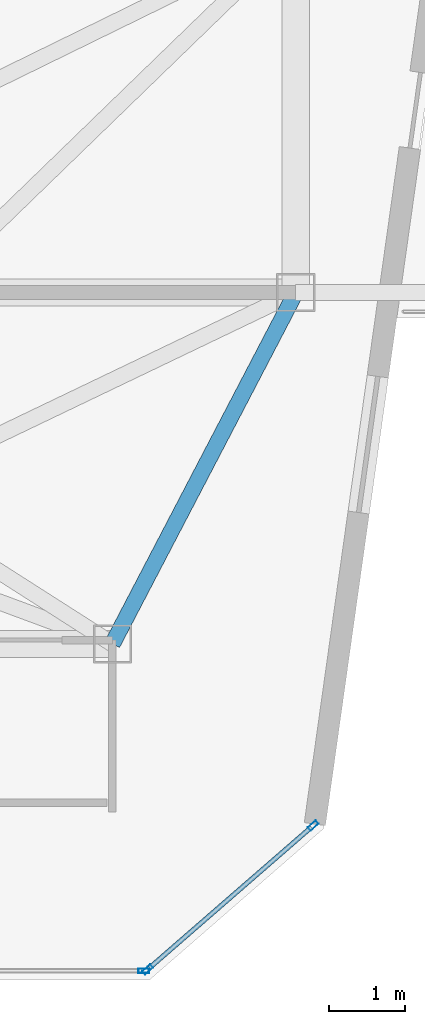
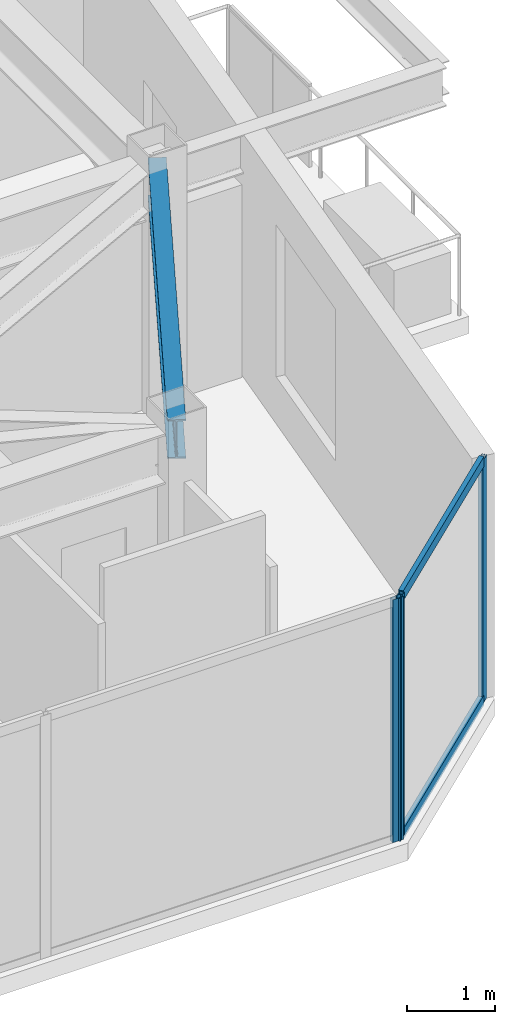
# One storey, part 11 of 17: 5 members, 1 beam, 2 elements without a shape of their own.
"""IFC4 building model written with IfcOpenShell, lengths in metres."""

from ifc_helpers import new_model, si_unit, direction, frame, origin, origin_2d, place, context, subcontext, project, spatial, hollow_rectangle, i_section, extrude, material, layer, layer_set, material_profile, profile_set, type_object, element, aggregate, save


model = new_model("IFC4")

# Units and contexts
model_context = context("Model", 3, precision=1e-05, world=origin(), true_north=direction((0.0, 1.0)))
body_context = subcontext(model_context, "Body", "Model", "MODEL_VIEW")
ifc_project = project(units=[si_unit("LENGTHUNIT", "METRE"), si_unit("AREAUNIT", "SQUARE_METRE"), si_unit("VOLUMEUNIT", "CUBIC_METRE"), si_unit("PLANEANGLEUNIT", "RADIAN"), si_unit("MASSUNIT", "GRAM", prefix="KILO")], contexts=[model_context])

# Site, building, storey
site_placement = place(None, origin())
site = spatial("IfcSite", under=ifc_project, at=site_placement, CompositionType="ELEMENT")
building_placement = place(site_placement, origin())
building = spatial("IfcBuilding", under=site, at=building_placement, Name="Kravanh Interchange Tower", CompositionType="ELEMENT")
storey_placement = place(building_placement, frame((0.0, 0.0, 256.199951171875)))
storey = spatial("IfcBuildingStorey", under=building, at=storey_placement, Name="L62", CompositionType="ELEMENT", Elevation=256.199951171875)

# Curtain wall, members
ifc_material_1 = material(Name="Anodised Bronze Aluminium", Category="aluminium")
ifc_layer = layer(ifc_material_1, 0.179931640625)
ifc_layer_set = layer_set([ifc_layer], Name="Unitised Curtain Wall System CW-HTL Luxury Hotel")
curtain_wall_type = type_object("IfcCurtainWallType", Name="Unitised Curtain Wall System CW-HTL Luxury Hotel", PredefinedType="NOTDEFINED", material=ifc_layer_set)
curtain_wall_1_placement = place(storey_placement, origin())
curtain_wall_1 = element("IfcCurtainWall", 1, at=curtain_wall_1_placement, inside=storey, type_object=curtain_wall_type, Name="L62 Unitised Curtain Wall CW-L62-01", PredefinedType="NOTDEFINED")
ifc_material_2 = material(Name="Anodised Bronze Aluminium", Category="aluminium")
ifc_material_profile_1 = material_profile(ifc_material_2, hollow_rectangle(XDim=0.06005859375, YDim=0.139892578125, WallThickness=0.00390625, at=origin_2d()), Name="ALU60X140X4")
ifc_profile_set_1 = profile_set([ifc_material_profile_1], Name="Anodised Bronze Aluminium")
member_type_1 = type_object("IfcMemberType", Name="Curtain Wall Mullion ALU60X140X4 Bronze", PredefinedType="MULLION", material=ifc_profile_set_1)
member_1_placement = place(storey_placement, frame((65.828369140625, 19.822021484375, 0.0), z_axis=(0.0, 0.0, 1.0), x_axis=(0.656050227106, -0.754717231494, 0.0)))
member_1 = element("IfcMember", 2, at=member_1_placement, type_object=member_type_1, Name="CW-HTL mullion 1", PredefinedType="MULLION", context=body_context, shape_type="SweptSolid", body=[
    extrude(hollow_rectangle(XDim=0.06005859375, YDim=0.139892578125, WallThickness=0.00390625, at=origin_2d()), origin(), (0.0, 0.0, 1.0), 3.360107421875),
])
member_2_placement = place(storey_placement, frame((63.6630859375, 17.939697265625, 0.0), z_axis=(0.0, 0.0, 1.0), x_axis=(0.656050227106, -0.754717231494, 0.0)))
member_2 = element("IfcMember", 3, at=member_2_placement, type_object=member_type_1, Name="CW-HTL mullion 2", PredefinedType="MULLION", context=body_context, shape_type="SweptSolid", body=[
    extrude(hollow_rectangle(XDim=0.06005859375, YDim=0.139892578125, WallThickness=0.00390625, at=origin_2d()), origin(), (0.0, 0.0, 1.0), 3.360107421875),
])

# Curtain wall, member
curtain_wall_2_placement = place(storey_placement, origin())
curtain_wall_2 = element("IfcCurtainWall", 4, at=curtain_wall_2_placement, inside=storey, type_object=curtain_wall_type, Name="L62 Unitised Curtain Wall CW-L62-02", PredefinedType="NOTDEFINED")
member_3_placement = place(storey_placement, frame((63.610595703125, 17.919921875, 0.0), z_axis=(0.0, 0.0, 1.0), x_axis=(0.0, -1.0, 0.0)))
member_3 = element("IfcMember", 5, at=member_3_placement, type_object=member_type_1, Name="CW-HTL mullion 1", PredefinedType="MULLION", context=body_context, shape_type="SweptSolid", body=[
    extrude(hollow_rectangle(XDim=0.06005859375, YDim=0.139892578125, WallThickness=0.00390625, at=origin_2d()), origin(), (0.0, 0.0, 1.0), 3.360107421875),
])
aggregate(curtain_wall_2, [member_3])

# Member
ifc_material_3 = material(Name="Anodised Bronze Aluminium", Category="aluminium")
ifc_material_profile_2 = material_profile(ifc_material_3, hollow_rectangle(XDim=0.06005859375, YDim=0.139892578125, WallThickness=0.00390625, at=origin_2d()), Name="ALU60X140X4")
ifc_profile_set_2 = profile_set([ifc_material_profile_2], Name="Anodised Bronze Aluminium")
member_type_2 = type_object("IfcMemberType", Name="Curtain Wall Transom ALU60X140X4 Bronze", PredefinedType="USERDEFINED", material=ifc_profile_set_2)
member_4_placement = place(storey_placement, frame((65.805908203125, 19.80224609375, 0.030029296875), z_axis=(-0.754747707805, -0.656015165651, 0.0), x_axis=(0.656015165651, -0.754747707805, 0.0)))
member_4 = element("IfcMember", 6, at=member_4_placement, type_object=member_type_2, Name="CW-HTL transom 1.1", ObjectType="TRANSOM", PredefinedType="USERDEFINED", context=body_context, shape_type="SweptSolid", body=[
    extrude(hollow_rectangle(XDim=0.06005859375, YDim=0.139892578125, WallThickness=0.00390625, at=origin_2d()), origin(), (0.0, 0.0, 1.0), 2.80908203125),
])

member_5_placement = place(storey_placement, frame((65.805908203125, 19.80224609375, 3.330078125), z_axis=(-0.754747707805, -0.656015165651, 0.0), x_axis=(0.656015165651, -0.754747707805, 0.0)))
member_5 = element("IfcMember", 7, at=member_5_placement, type_object=member_type_2, Name="CW-HTL transom 1.2", ObjectType="TRANSOM", PredefinedType="USERDEFINED", context=body_context, shape_type="SweptSolid", body=[
    extrude(hollow_rectangle(XDim=0.06005859375, YDim=0.139892578125, WallThickness=0.00390625, at=origin_2d()), origin(), (0.0, 0.0, 1.0), 2.80908203125),
])

aggregate(curtain_wall_1, [member_1, member_2, member_4, member_5])

# Beam
ifc_material_4 = material(Name="Structural Steel S355", Category="steel")
ifc_material_profile_3 = material_profile(ifc_material_4, i_section(OverallWidth=0.2099609375, OverallDepth=0.537109375, WebThickness=0.010986328125, FlangeThickness=0.017333984375, FilletRadius=0.02001953125, at=origin_2d()), Name="W21X68")
ifc_profile_set_3 = profile_set([ifc_material_profile_3], Name="Structural Steel S355")
beam_type = type_object("IfcBeamType", Name="Floor Spandrel W21X68 Structural Steel S355", PredefinedType="SPANDREL", material=ifc_profile_set_3)
beam_placement = place(storey_placement, frame((65.60009765625, 26.800048828125, 3.091552734375), z_axis=(-0.462580479178, -0.886577295155, 0.0), x_axis=(0.886577295155, -0.462580479178, 0.0)))
element("IfcBeam", 8, at=beam_placement, inside=storey, type_object=beam_type, Name="L62 Perimeter Spandrel 37", PredefinedType="SPANDREL", context=body_context, shape_type="SweptSolid", body=[
    extrude(i_section(OverallWidth=0.2099609375, OverallDepth=0.537109375, WebThickness=0.010986328125, FlangeThickness=0.017333984375, FilletRadius=0.02001953125, at=origin_2d()), origin(), (0.0, 0.0, 1.0), 5.188720703125),
])

save(model, "model.ifc")
